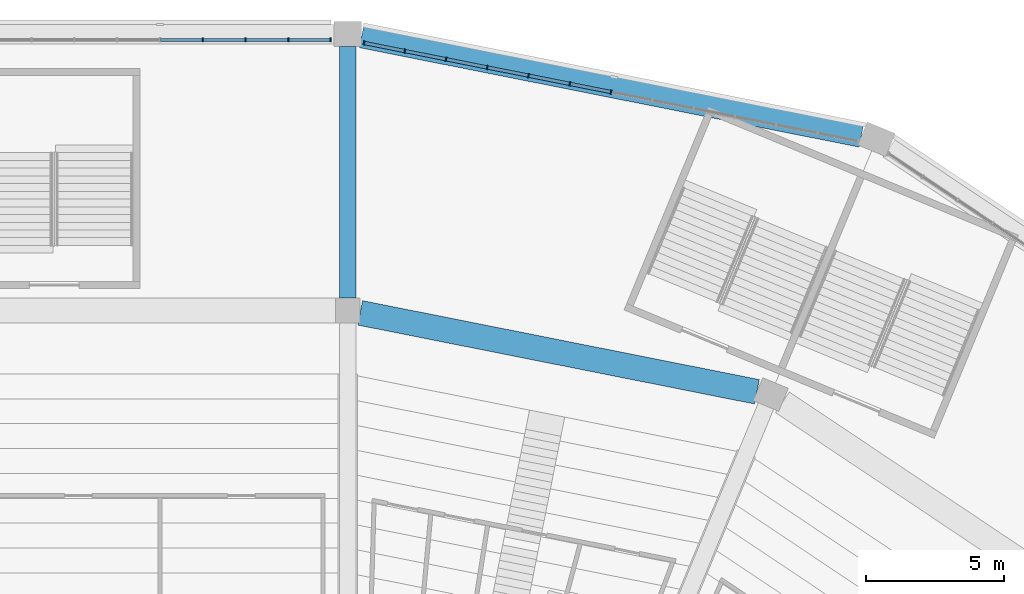
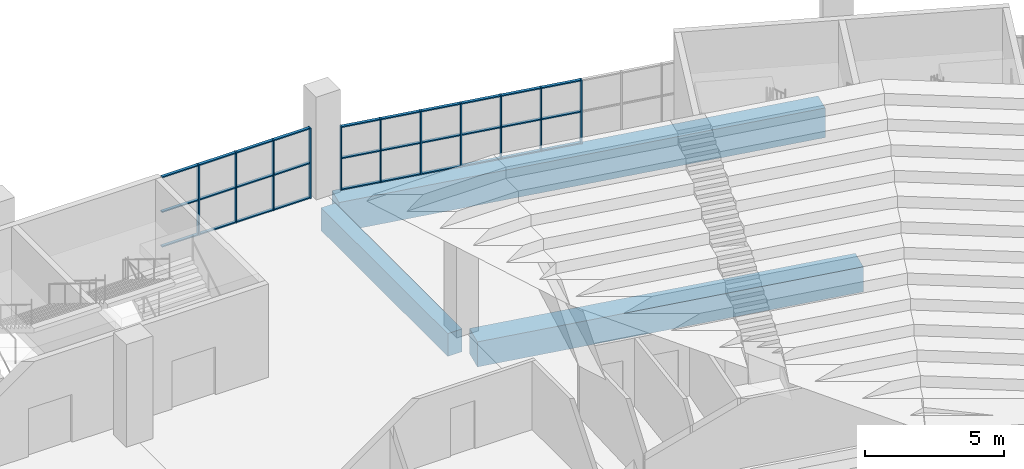
# One storey, part 53 of 249: 41 members, 3 beams, 2 elements without a shape of their own.
"""IFC4 building model written with IfcOpenShell, lengths in metres."""

from ifc_helpers import new_model, si_unit, direction, frame, origin, origin_2d, place, context, subcontext, project, spatial, rectangle, extrude, material, material_profile, profile_set, type_object, element, aggregate, save


model = new_model("IFC4")

# Units and contexts
model_context = context("Model", 3, precision=1e-05, world=origin(), true_north=direction((0.0, 1.0)))
body_context = subcontext(model_context, "Body", "Model", "MODEL_VIEW")
ifc_project = project(units=[si_unit("LENGTHUNIT", "METRE"), si_unit("AREAUNIT", "SQUARE_METRE"), si_unit("VOLUMEUNIT", "CUBIC_METRE"), si_unit("PLANEANGLEUNIT", "RADIAN"), si_unit("MASSUNIT", "GRAM", prefix="KILO")], contexts=[model_context])

# Site, building, storey
site_placement = place(None, origin())
site = spatial("IfcSite", under=ifc_project, at=site_placement, CompositionType="ELEMENT")
building_placement = place(site_placement, origin())
building = spatial("IfcBuilding", under=site, at=building_placement, Name="Ogive Plaza Stadium", CompositionType="ELEMENT")
storey_placement = place(building_placement, frame((0.0, 0.0, 13.5)))
storey = spatial("IfcBuildingStorey", under=building, at=storey_placement, Name="L03", CompositionType="ELEMENT", Elevation=13.5)

# Curtain wall, members
ifc_material_1 = material(Name="Bronze-anodised aluminium with laminated glass", Category="aluminium")
curtain_wall_type = type_object("IfcCurtainWallType", Name="Lancet curtain wall", PredefinedType="NOTDEFINED", material=ifc_material_1)
curtain_wall_1_placement = place(storey_placement, origin())
curtain_wall_1 = element("IfcCurtainWall", 1, at=curtain_wall_1_placement, inside=storey, type_object=curtain_wall_type, Name="CURTAIN WALL B36 L03", PredefinedType="NOTDEFINED")
ifc_material_2 = material(Name="Bronze-anodised aluminium", Category="aluminium")
ifc_material_profile_1 = material_profile(ifc_material_2, rectangle(XDim=0.14990234375, YDim=0.050048828125, at=origin_2d()), Name="AL 150x50")
ifc_profile_set_1 = profile_set([ifc_material_profile_1], Name="Bronze-anodised aluminium")
member_type_1 = type_object("IfcMemberType", Name="Curtain wall mullion 50x150", PredefinedType="MULLION", material=ifc_profile_set_1)
member_1_placement = place(storey_placement, frame((28.75, 102.300048828125, 0.0), z_axis=(0.0, 0.0, 1.0), x_axis=(0.0, 1.0, 0.0)))
member_1 = element("IfcMember", 2, at=member_1_placement, type_object=member_type_1, Name="CW-B36-L03 mullion 6", PredefinedType="MULLION", context=body_context, shape_type="SweptSolid", body=[
    extrude(rectangle(XDim=0.14990234375, YDim=0.050048828125, at=origin_2d()), origin(), (0.0, 0.0, 1.0), 3.090087890625),
])
member_2_placement = place(storey_placement, frame((30.300048828125, 102.300048828125, 0.0), z_axis=(0.0, 0.0, 1.0), x_axis=(0.0, 1.0, 0.0)))
member_2 = element("IfcMember", 3, at=member_2_placement, type_object=member_type_1, Name="CW-B36-L03 mullion 7", PredefinedType="MULLION", context=body_context, shape_type="SweptSolid", body=[
    extrude(rectangle(XDim=0.14990234375, YDim=0.050048828125, at=origin_2d()), origin(), (0.0, 0.0, 1.0), 3.090087890625),
])
member_3_placement = place(storey_placement, frame((31.85009765625, 102.300048828125, 0.0), z_axis=(0.0, 0.0, 1.0), x_axis=(0.0, 1.0, 0.0)))
member_3 = element("IfcMember", 4, at=member_3_placement, type_object=member_type_1, Name="CW-B36-L03 mullion 8", PredefinedType="MULLION", context=body_context, shape_type="SweptSolid", body=[
    extrude(rectangle(XDim=0.14990234375, YDim=0.050048828125, at=origin_2d()), origin(), (0.0, 0.0, 1.0), 3.090087890625),
])
member_4_placement = place(storey_placement, frame((33.375, 102.300048828125, 0.0), z_axis=(0.0, 0.0, 1.0), x_axis=(0.0, 1.0, 0.0)))
member_4 = element("IfcMember", 5, at=member_4_placement, type_object=member_type_1, Name="CW-B36-L03 mullion 9", PredefinedType="MULLION", context=body_context, shape_type="SweptSolid", body=[
    extrude(rectangle(XDim=0.14990234375, YDim=0.050048828125, at=origin_2d()), origin(), (0.0, 0.0, 1.0), 3.090087890625),
])

curtain_wall_2_placement = place(storey_placement, origin())
curtain_wall_2 = element("IfcCurtainWall", 6, at=curtain_wall_2_placement, inside=storey, type_object=curtain_wall_type, Name="CURTAIN WALL B37 L03", PredefinedType="NOTDEFINED")
member_5_placement = place(storey_placement, frame((34.593994140625, 102.177978515625, 0.0), z_axis=(0.0, 0.0, 1.0), x_axis=(0.195090322033, 0.9807852804, 0.0)))
member_5 = element("IfcMember", 7, at=member_5_placement, type_object=member_type_1, Name="CW-B37-L03 mullion 1", PredefinedType="MULLION", context=body_context, shape_type="SweptSolid", body=[
    extrude(rectangle(XDim=0.14990234375, YDim=0.050048828125, at=origin_2d()), origin(), (0.0, 0.0, 1.0), 2.7900390625),
])
member_6_placement = place(storey_placement, frame((36.0625, 101.8857421875, 0.0), z_axis=(0.0, 0.0, 1.0), x_axis=(0.195090322033, 0.9807852804, 0.0)))
member_6 = element("IfcMember", 8, at=member_6_placement, type_object=member_type_1, Name="CW-B37-L03 mullion 2", PredefinedType="MULLION", context=body_context, shape_type="SweptSolid", body=[
    extrude(rectangle(XDim=0.14990234375, YDim=0.050048828125, at=origin_2d()), origin(), (0.0, 0.0, 1.0), 2.7900390625),
])
member_7_placement = place(storey_placement, frame((37.5556640625, 101.5888671875, 0.0), z_axis=(0.0, 0.0, 1.0), x_axis=(0.195090322033, 0.9807852804, 0.0)))
member_7 = element("IfcMember", 9, at=member_7_placement, type_object=member_type_1, Name="CW-B37-L03 mullion 3", PredefinedType="MULLION", context=body_context, shape_type="SweptSolid", body=[
    extrude(rectangle(XDim=0.14990234375, YDim=0.050048828125, at=origin_2d()), origin(), (0.0, 0.0, 1.0), 2.7900390625),
])
member_8_placement = place(storey_placement, frame((39.048828125, 101.291748046875, 0.0), z_axis=(0.0, 0.0, 1.0), x_axis=(0.195090322033, 0.9807852804, 0.0)))
member_8 = element("IfcMember", 10, at=member_8_placement, type_object=member_type_1, Name="CW-B37-L03 mullion 4", PredefinedType="MULLION", context=body_context, shape_type="SweptSolid", body=[
    extrude(rectangle(XDim=0.14990234375, YDim=0.050048828125, at=origin_2d()), origin(), (0.0, 0.0, 1.0), 2.7900390625),
])
member_9_placement = place(storey_placement, frame((40.5419921875, 100.994873046875, 0.0), z_axis=(0.0, 0.0, 1.0), x_axis=(0.195090322033, 0.9807852804, 0.0)))
member_9 = element("IfcMember", 11, at=member_9_placement, type_object=member_type_1, Name="CW-B37-L03 mullion 5", PredefinedType="MULLION", context=body_context, shape_type="SweptSolid", body=[
    extrude(rectangle(XDim=0.14990234375, YDim=0.050048828125, at=origin_2d()), origin(), (0.0, 0.0, 1.0), 2.7900390625),
])
member_10_placement = place(storey_placement, frame((42.034912109375, 100.69775390625, 0.0), z_axis=(0.0, 0.0, 1.0), x_axis=(0.195090322033, 0.9807852804, 0.0)))
member_10 = element("IfcMember", 12, at=member_10_placement, type_object=member_type_1, Name="CW-B37-L03 mullion 6", PredefinedType="MULLION", context=body_context, shape_type="SweptSolid", body=[
    extrude(rectangle(XDim=0.14990234375, YDim=0.050048828125, at=origin_2d()), origin(), (0.0, 0.0, 1.0), 2.7900390625),
])
member_11_placement = place(storey_placement, frame((43.528076171875, 100.40087890625, 0.0), z_axis=(0.0, 0.0, 1.0), x_axis=(0.195090322033, 0.9807852804, 0.0)))
member_11 = element("IfcMember", 13, at=member_11_placement, type_object=member_type_1, Name="CW-B37-L03 mullion 7", PredefinedType="MULLION", context=body_context, shape_type="SweptSolid", body=[
    extrude(rectangle(XDim=0.14990234375, YDim=0.050048828125, at=origin_2d()), origin(), (0.0, 0.0, 1.0), 2.7900390625),
])

# Member
ifc_material_3 = material(Name="Bronze-anodised aluminium", Category="aluminium")
ifc_material_profile_2 = material_profile(ifc_material_3, rectangle(XDim=0.1201171875, YDim=0.050048828125, at=origin_2d()), Name="AL 120x50")
ifc_profile_set_2 = profile_set([ifc_material_profile_2], Name="Bronze-anodised aluminium")
member_type_2 = type_object("IfcMemberType", Name="Curtain wall transom 50x120", PredefinedType="USERDEFINED", material=ifc_profile_set_2)
member_12_placement = place(storey_placement, frame((27.22509765625, 102.300048828125, 0.02490234375), z_axis=(1.0, 0.0, 0.0), x_axis=(0.0, 1.0, 0.0)))
member_12 = element("IfcMember", 14, at=member_12_placement, type_object=member_type_2, Name="CW-B36-L03 transom 5.1", ObjectType="TRANSOM", PredefinedType="USERDEFINED", context=body_context, shape_type="SweptSolid", body=[
    extrude(rectangle(XDim=0.1201171875, YDim=0.050048828125, at=origin_2d()), origin(), (0.0, 0.0, 1.0), 1.5),
])

member_13_placement = place(storey_placement, frame((27.22509765625, 102.300048828125, 1.544921875), z_axis=(1.0, 0.0, 0.0), x_axis=(0.0, 1.0, 0.0)))
member_13 = element("IfcMember", 15, at=member_13_placement, type_object=member_type_2, Name="CW-B36-L03 transom 5.2", ObjectType="TRANSOM", PredefinedType="USERDEFINED", context=body_context, shape_type="SweptSolid", body=[
    extrude(rectangle(XDim=0.1201171875, YDim=0.050048828125, at=origin_2d()), origin(), (0.0, 0.0, 1.0), 1.5),
])

member_14_placement = place(storey_placement, frame((27.22509765625, 102.300048828125, 3.06494140625), z_axis=(1.0, 0.0, 0.0), x_axis=(0.0, 1.0, 0.0)))
member_14 = element("IfcMember", 16, at=member_14_placement, type_object=member_type_2, Name="CW-B36-L03 transom 5.3", ObjectType="TRANSOM", PredefinedType="USERDEFINED", context=body_context, shape_type="SweptSolid", body=[
    extrude(rectangle(XDim=0.1201171875, YDim=0.050048828125, at=origin_2d()), origin(), (0.0, 0.0, 1.0), 1.5),
])

member_15_placement = place(storey_placement, frame((28.77490234375, 102.300048828125, 0.02490234375), z_axis=(1.0, 0.0, 0.0), x_axis=(0.0, 1.0, 0.0)))
member_15 = element("IfcMember", 17, at=member_15_placement, type_object=member_type_2, Name="CW-B36-L03 transom 6.1", ObjectType="TRANSOM", PredefinedType="USERDEFINED", context=body_context, shape_type="SweptSolid", body=[
    extrude(rectangle(XDim=0.1201171875, YDim=0.050048828125, at=origin_2d()), origin(), (0.0, 0.0, 1.0), 1.5),
])

member_16_placement = place(storey_placement, frame((28.77490234375, 102.300048828125, 1.544921875), z_axis=(1.0, 0.0, 0.0), x_axis=(0.0, 1.0, 0.0)))
member_16 = element("IfcMember", 18, at=member_16_placement, type_object=member_type_2, Name="CW-B36-L03 transom 6.2", ObjectType="TRANSOM", PredefinedType="USERDEFINED", context=body_context, shape_type="SweptSolid", body=[
    extrude(rectangle(XDim=0.1201171875, YDim=0.050048828125, at=origin_2d()), origin(), (0.0, 0.0, 1.0), 1.5),
])

member_17_placement = place(storey_placement, frame((28.77490234375, 102.300048828125, 3.06494140625), z_axis=(1.0, 0.0, 0.0), x_axis=(0.0, 1.0, 0.0)))
member_17 = element("IfcMember", 19, at=member_17_placement, type_object=member_type_2, Name="CW-B36-L03 transom 6.3", ObjectType="TRANSOM", PredefinedType="USERDEFINED", context=body_context, shape_type="SweptSolid", body=[
    extrude(rectangle(XDim=0.1201171875, YDim=0.050048828125, at=origin_2d()), origin(), (0.0, 0.0, 1.0), 1.5),
])

member_18_placement = place(storey_placement, frame((30.324951171875, 102.300048828125, 0.02490234375), z_axis=(1.0, 0.0, 0.0), x_axis=(0.0, 1.0, 0.0)))
member_18 = element("IfcMember", 20, at=member_18_placement, type_object=member_type_2, Name="CW-B36-L03 transom 7.1", ObjectType="TRANSOM", PredefinedType="USERDEFINED", context=body_context, shape_type="SweptSolid", body=[
    extrude(rectangle(XDim=0.1201171875, YDim=0.050048828125, at=origin_2d()), origin(), (0.0, 0.0, 1.0), 1.5),
])

member_19_placement = place(storey_placement, frame((30.324951171875, 102.300048828125, 1.544921875), z_axis=(1.0, 0.0, 0.0), x_axis=(0.0, 1.0, 0.0)))
member_19 = element("IfcMember", 21, at=member_19_placement, type_object=member_type_2, Name="CW-B36-L03 transom 7.2", ObjectType="TRANSOM", PredefinedType="USERDEFINED", context=body_context, shape_type="SweptSolid", body=[
    extrude(rectangle(XDim=0.1201171875, YDim=0.050048828125, at=origin_2d()), origin(), (0.0, 0.0, 1.0), 1.5),
])

member_20_placement = place(storey_placement, frame((30.324951171875, 102.300048828125, 3.06494140625), z_axis=(1.0, 0.0, 0.0), x_axis=(0.0, 1.0, 0.0)))
member_20 = element("IfcMember", 22, at=member_20_placement, type_object=member_type_2, Name="CW-B36-L03 transom 7.3", ObjectType="TRANSOM", PredefinedType="USERDEFINED", context=body_context, shape_type="SweptSolid", body=[
    extrude(rectangle(XDim=0.1201171875, YDim=0.050048828125, at=origin_2d()), origin(), (0.0, 0.0, 1.0), 1.5),
])

member_21_placement = place(storey_placement, frame((31.875, 102.300048828125, 0.02490234375), z_axis=(1.0, 0.0, 0.0), x_axis=(0.0, 1.0, 0.0)))
member_21 = element("IfcMember", 23, at=member_21_placement, type_object=member_type_2, Name="CW-B36-L03 transom 8.1", ObjectType="TRANSOM", PredefinedType="USERDEFINED", context=body_context, shape_type="SweptSolid", body=[
    extrude(rectangle(XDim=0.1201171875, YDim=0.050048828125, at=origin_2d()), origin(), (0.0, 0.0, 1.0), 1.47509765625),
])

member_22_placement = place(storey_placement, frame((31.875, 102.300048828125, 1.544921875), z_axis=(1.0, 0.0, 0.0), x_axis=(0.0, 1.0, 0.0)))
member_22 = element("IfcMember", 24, at=member_22_placement, type_object=member_type_2, Name="CW-B36-L03 transom 8.2", ObjectType="TRANSOM", PredefinedType="USERDEFINED", context=body_context, shape_type="SweptSolid", body=[
    extrude(rectangle(XDim=0.1201171875, YDim=0.050048828125, at=origin_2d()), origin(), (0.0, 0.0, 1.0), 1.47509765625),
])

member_23_placement = place(storey_placement, frame((31.875, 102.300048828125, 3.06494140625), z_axis=(1.0, 0.0, 0.0), x_axis=(0.0, 1.0, 0.0)))
member_23 = element("IfcMember", 25, at=member_23_placement, type_object=member_type_2, Name="CW-B36-L03 transom 8.3", ObjectType="TRANSOM", PredefinedType="USERDEFINED", context=body_context, shape_type="SweptSolid", body=[
    extrude(rectangle(XDim=0.1201171875, YDim=0.050048828125, at=origin_2d()), origin(), (0.0, 0.0, 1.0), 1.47509765625),
])

aggregate(curtain_wall_1, [member_1, member_2, member_3, member_4, member_12, member_13, member_14, member_15, member_16, member_17, member_18, member_19, member_20, member_21, member_22, member_23])

member_24_placement = place(storey_placement, frame((34.61865234375, 102.173095703125, 0.02490234375), z_axis=(0.980768379534, -0.195175269199, 0.0), x_axis=(0.195175269199, 0.980768379534, 0.0)))
member_24 = element("IfcMember", 26, at=member_24_placement, type_object=member_type_2, Name="CW-B37-L03 transom 1.1", ObjectType="TRANSOM", PredefinedType="USERDEFINED", context=body_context, shape_type="SweptSolid", body=[
    extrude(rectangle(XDim=0.1201171875, YDim=0.050048828125, at=origin_2d()), origin(), (0.0, 0.0, 1.0), 1.447265625),
])

member_25_placement = place(storey_placement, frame((34.61865234375, 102.173095703125, 1.39501953125), z_axis=(0.980768379534, -0.195175269199, 0.0), x_axis=(0.195175269199, 0.980768379534, 0.0)))
member_25 = element("IfcMember", 27, at=member_25_placement, type_object=member_type_2, Name="CW-B37-L03 transom 1.2", ObjectType="TRANSOM", PredefinedType="USERDEFINED", context=body_context, shape_type="SweptSolid", body=[
    extrude(rectangle(XDim=0.1201171875, YDim=0.050048828125, at=origin_2d()), origin(), (0.0, 0.0, 1.0), 1.447265625),
])

member_26_placement = place(storey_placement, frame((34.61865234375, 102.173095703125, 2.764892578125), z_axis=(0.980768379534, -0.195175269199, 0.0), x_axis=(0.195175269199, 0.980768379534, 0.0)))
member_26 = element("IfcMember", 28, at=member_26_placement, type_object=member_type_2, Name="CW-B37-L03 transom 1.3", ObjectType="TRANSOM", PredefinedType="USERDEFINED", context=body_context, shape_type="SweptSolid", body=[
    extrude(rectangle(XDim=0.1201171875, YDim=0.050048828125, at=origin_2d()), origin(), (0.0, 0.0, 1.0), 1.447265625),
])

member_27_placement = place(storey_placement, frame((36.087158203125, 101.880859375, 0.02490234375), z_axis=(0.980803254763, -0.194999937042, 0.0), x_axis=(0.194999937042, 0.980803254763, 0.0)))
member_27 = element("IfcMember", 29, at=member_27_placement, type_object=member_type_2, Name="CW-B37-L03 transom 2.1", ObjectType="TRANSOM", PredefinedType="USERDEFINED", context=body_context, shape_type="SweptSolid", body=[
    extrude(rectangle(XDim=0.1201171875, YDim=0.050048828125, at=origin_2d()), origin(), (0.0, 0.0, 1.0), 1.472412109375),
])

member_28_placement = place(storey_placement, frame((36.087158203125, 101.880859375, 1.39501953125), z_axis=(0.980803254763, -0.194999937042, 0.0), x_axis=(0.194999937042, 0.980803254763, 0.0)))
member_28 = element("IfcMember", 30, at=member_28_placement, type_object=member_type_2, Name="CW-B37-L03 transom 2.2", ObjectType="TRANSOM", PredefinedType="USERDEFINED", context=body_context, shape_type="SweptSolid", body=[
    extrude(rectangle(XDim=0.1201171875, YDim=0.050048828125, at=origin_2d()), origin(), (0.0, 0.0, 1.0), 1.472412109375),
])

member_29_placement = place(storey_placement, frame((36.087158203125, 101.880859375, 2.764892578125), z_axis=(0.980803254763, -0.194999937042, 0.0), x_axis=(0.194999937042, 0.980803254763, 0.0)))
member_29 = element("IfcMember", 31, at=member_29_placement, type_object=member_type_2, Name="CW-B37-L03 transom 2.3", ObjectType="TRANSOM", PredefinedType="USERDEFINED", context=body_context, shape_type="SweptSolid", body=[
    extrude(rectangle(XDim=0.1201171875, YDim=0.050048828125, at=origin_2d()), origin(), (0.0, 0.0, 1.0), 1.472412109375),
])

member_30_placement = place(storey_placement, frame((37.580322265625, 101.583984375, 0.02490234375), z_axis=(0.980765212551, -0.195191182816, 0.0), x_axis=(0.195191182816, 0.980765212551, 0.0)))
member_30 = element("IfcMember", 32, at=member_30_placement, type_object=member_type_2, Name="CW-B37-L03 transom 3.1", ObjectType="TRANSOM", PredefinedType="USERDEFINED", context=body_context, shape_type="SweptSolid", body=[
    extrude(rectangle(XDim=0.1201171875, YDim=0.050048828125, at=origin_2d()), origin(), (0.0, 0.0, 1.0), 1.47216796875),
])

member_31_placement = place(storey_placement, frame((37.580322265625, 101.583984375, 1.39501953125), z_axis=(0.980765212551, -0.195191182816, 0.0), x_axis=(0.195191182816, 0.980765212551, 0.0)))
member_31 = element("IfcMember", 33, at=member_31_placement, type_object=member_type_2, Name="CW-B37-L03 transom 3.2", ObjectType="TRANSOM", PredefinedType="USERDEFINED", context=body_context, shape_type="SweptSolid", body=[
    extrude(rectangle(XDim=0.1201171875, YDim=0.050048828125, at=origin_2d()), origin(), (0.0, 0.0, 1.0), 1.47216796875),
])

member_32_placement = place(storey_placement, frame((37.580322265625, 101.583984375, 2.764892578125), z_axis=(0.980765212551, -0.195191182816, 0.0), x_axis=(0.195191182816, 0.980765212551, 0.0)))
member_32 = element("IfcMember", 34, at=member_32_placement, type_object=member_type_2, Name="CW-B37-L03 transom 3.3", ObjectType="TRANSOM", PredefinedType="USERDEFINED", context=body_context, shape_type="SweptSolid", body=[
    extrude(rectangle(XDim=0.1201171875, YDim=0.050048828125, at=origin_2d()), origin(), (0.0, 0.0, 1.0), 1.47216796875),
])

member_33_placement = place(storey_placement, frame((39.0732421875, 101.286865234375, 0.02490234375), z_axis=(0.980803254763, -0.194999937042, 0.0), x_axis=(0.194999937042, 0.980803254763, 0.0)))
member_33 = element("IfcMember", 35, at=member_33_placement, type_object=member_type_2, Name="CW-B37-L03 transom 4.1", ObjectType="TRANSOM", PredefinedType="USERDEFINED", context=body_context, shape_type="SweptSolid", body=[
    extrude(rectangle(XDim=0.1201171875, YDim=0.050048828125, at=origin_2d()), origin(), (0.0, 0.0, 1.0), 1.472412109375),
])

member_34_placement = place(storey_placement, frame((39.0732421875, 101.286865234375, 1.39501953125), z_axis=(0.980803254763, -0.194999937042, 0.0), x_axis=(0.194999937042, 0.980803254763, 0.0)))
member_34 = element("IfcMember", 36, at=member_34_placement, type_object=member_type_2, Name="CW-B37-L03 transom 4.2", ObjectType="TRANSOM", PredefinedType="USERDEFINED", context=body_context, shape_type="SweptSolid", body=[
    extrude(rectangle(XDim=0.1201171875, YDim=0.050048828125, at=origin_2d()), origin(), (0.0, 0.0, 1.0), 1.472412109375),
])

member_35_placement = place(storey_placement, frame((39.0732421875, 101.286865234375, 2.764892578125), z_axis=(0.980803254763, -0.194999937042, 0.0), x_axis=(0.194999937042, 0.980803254763, 0.0)))
member_35 = element("IfcMember", 37, at=member_35_placement, type_object=member_type_2, Name="CW-B37-L03 transom 4.3", ObjectType="TRANSOM", PredefinedType="USERDEFINED", context=body_context, shape_type="SweptSolid", body=[
    extrude(rectangle(XDim=0.1201171875, YDim=0.050048828125, at=origin_2d()), origin(), (0.0, 0.0, 1.0), 1.472412109375),
])

member_36_placement = place(storey_placement, frame((40.56640625, 100.989990234375, 0.02490234375), z_axis=(0.980771529367, -0.195159440417, 0.0), x_axis=(0.195159440417, 0.980771529367, 0.0)))
member_36 = element("IfcMember", 38, at=member_36_placement, type_object=member_type_2, Name="CW-B37-L03 transom 5.1", ObjectType="TRANSOM", PredefinedType="USERDEFINED", context=body_context, shape_type="SweptSolid", body=[
    extrude(rectangle(XDim=0.1201171875, YDim=0.050048828125, at=origin_2d()), origin(), (0.0, 0.0, 1.0), 1.472412109375),
])

member_37_placement = place(storey_placement, frame((40.56640625, 100.989990234375, 1.39501953125), z_axis=(0.980771529367, -0.195159440417, 0.0), x_axis=(0.195159440417, 0.980771529367, 0.0)))
member_37 = element("IfcMember", 39, at=member_37_placement, type_object=member_type_2, Name="CW-B37-L03 transom 5.2", ObjectType="TRANSOM", PredefinedType="USERDEFINED", context=body_context, shape_type="SweptSolid", body=[
    extrude(rectangle(XDim=0.1201171875, YDim=0.050048828125, at=origin_2d()), origin(), (0.0, 0.0, 1.0), 1.472412109375),
])

member_38_placement = place(storey_placement, frame((40.56640625, 100.989990234375, 2.764892578125), z_axis=(0.980771529367, -0.195159440417, 0.0), x_axis=(0.195159440417, 0.980771529367, 0.0)))
member_38 = element("IfcMember", 40, at=member_38_placement, type_object=member_type_2, Name="CW-B37-L03 transom 5.3", ObjectType="TRANSOM", PredefinedType="USERDEFINED", context=body_context, shape_type="SweptSolid", body=[
    extrude(rectangle(XDim=0.1201171875, YDim=0.050048828125, at=origin_2d()), origin(), (0.0, 0.0, 1.0), 1.472412109375),
])

member_39_placement = place(storey_placement, frame((42.0595703125, 100.69287109375, 0.02490234375), z_axis=(0.980803254763, -0.194999937042, 0.0), x_axis=(0.194999937042, 0.980803254763, 0.0)))
member_39 = element("IfcMember", 41, at=member_39_placement, type_object=member_type_2, Name="CW-B37-L03 transom 6.1", ObjectType="TRANSOM", PredefinedType="USERDEFINED", context=body_context, shape_type="SweptSolid", body=[
    extrude(rectangle(XDim=0.1201171875, YDim=0.050048828125, at=origin_2d()), origin(), (0.0, 0.0, 1.0), 1.472412109375),
])

member_40_placement = place(storey_placement, frame((42.0595703125, 100.69287109375, 1.39501953125), z_axis=(0.980803254763, -0.194999937042, 0.0), x_axis=(0.194999937042, 0.980803254763, 0.0)))
member_40 = element("IfcMember", 42, at=member_40_placement, type_object=member_type_2, Name="CW-B37-L03 transom 6.2", ObjectType="TRANSOM", PredefinedType="USERDEFINED", context=body_context, shape_type="SweptSolid", body=[
    extrude(rectangle(XDim=0.1201171875, YDim=0.050048828125, at=origin_2d()), origin(), (0.0, 0.0, 1.0), 1.472412109375),
])

member_41_placement = place(storey_placement, frame((42.0595703125, 100.69287109375, 2.764892578125), z_axis=(0.980803254763, -0.194999937042, 0.0), x_axis=(0.194999937042, 0.980803254763, 0.0)))
member_41 = element("IfcMember", 43, at=member_41_placement, type_object=member_type_2, Name="CW-B37-L03 transom 6.3", ObjectType="TRANSOM", PredefinedType="USERDEFINED", context=body_context, shape_type="SweptSolid", body=[
    extrude(rectangle(XDim=0.1201171875, YDim=0.050048828125, at=origin_2d()), origin(), (0.0, 0.0, 1.0), 1.472412109375),
])

aggregate(curtain_wall_2, [member_5, member_6, member_7, member_8, member_9, member_10, member_11, member_24, member_25, member_26, member_27, member_28, member_29, member_30, member_31, member_32, member_33, member_34, member_35, member_36, member_37, member_38, member_39, member_40, member_41])

# Beams
ifc_material_4 = material(Name="Concrete C40/50", Category="concrete")
ifc_material_profile_3 = material_profile(ifc_material_4, rectangle(XDim=0.60009765625, YDim=1.0, at=origin_2d()), Name="RC 600x1000")
ifc_profile_set_3 = profile_set([ifc_material_profile_3], Name="Concrete C40/50")
beam_type_1 = type_object("IfcBeamType", Name="RC radial beam 600x1000", PredefinedType="BEAM", material=ifc_profile_set_3)
beam_1_placement = place(storey_placement, frame((34.0, 92.949951171875, -0.909912109375), z_axis=(0.0, 1.0, 0.0), x_axis=(-1.0, 0.0, 0.0)))
element("IfcBeam", 44, at=beam_1_placement, inside=storey, type_object=beam_type_1, Name="Radial beam L03 R37 F4F5", PredefinedType="BEAM", context=body_context, shape_type="SweptSolid", body=[
    extrude(rectangle(XDim=0.60009765625, YDim=1.0, at=origin_2d()), origin(), (0.0, 0.0, 1.0), 9.10009765625),
])
ifc_material_5 = material(Name="Concrete C40/50", Category="concrete")
ifc_material_profile_4 = material_profile(ifc_material_5, rectangle(XDim=0.89990234375, YDim=1.10009765625, at=origin_2d()), Name="RC 900x1100")
ifc_profile_set_4 = profile_set([ifc_material_profile_4], Name="Concrete C40/50")
beam_type_2 = type_object("IfcBeamType", Name="RC ring beam 900x1100", PredefinedType="BEAM", material=ifc_profile_set_4)
beam_2_placement = place(storey_placement, frame((34.449951171875, 92.410400390625, -0.9599609375), z_axis=(0.980787317906, -0.195080078519, 0.0), x_axis=(0.195080078519, 0.980787317906, 0.0)))
element("IfcBeam", 45, at=beam_2_placement, inside=storey, type_object=beam_type_2, Name="Ring beam F4 L03 B37", PredefinedType="BEAM", context=body_context, shape_type="SweptSolid", body=[
    extrude(rectangle(XDim=0.89990234375, YDim=1.10009765625, at=origin_2d()), origin(), (0.0, 0.0, 1.0), 14.638671875),
])
ifc_material_6 = material(Name="Concrete C40/50", Category="concrete")
ifc_material_profile_5 = material_profile(ifc_material_6, rectangle(XDim=0.800048828125, YDim=1.300048828125, at=origin_2d()), Name="RC 800x1300")
ifc_profile_set_5 = profile_set([ifc_material_profile_5], Name="Concrete C40/50")
beam_type_3 = type_object("IfcBeamType", Name="RC spandrel beam 800x1300", PredefinedType="SPANDREL", material=ifc_profile_set_5)
beam_3_placement = place(storey_placement, frame((34.5, 102.400634765625, -1.06005859375), z_axis=(0.980785371075, -0.195089866178, 0.0), x_axis=(0.195089866178, 0.980785371075, 0.0)))
element("IfcBeam", 46, at=beam_3_placement, inside=storey, type_object=beam_type_3, Name="Ring beam F5 L03 B37", PredefinedType="SPANDREL", context=body_context, shape_type="SweptSolid", body=[
    extrude(rectangle(XDim=0.800048828125, YDim=1.300048828125, at=origin_2d()), origin(), (0.0, 0.0, 1.0), 18.4384765625),
])

save(model, "model.ifc")
